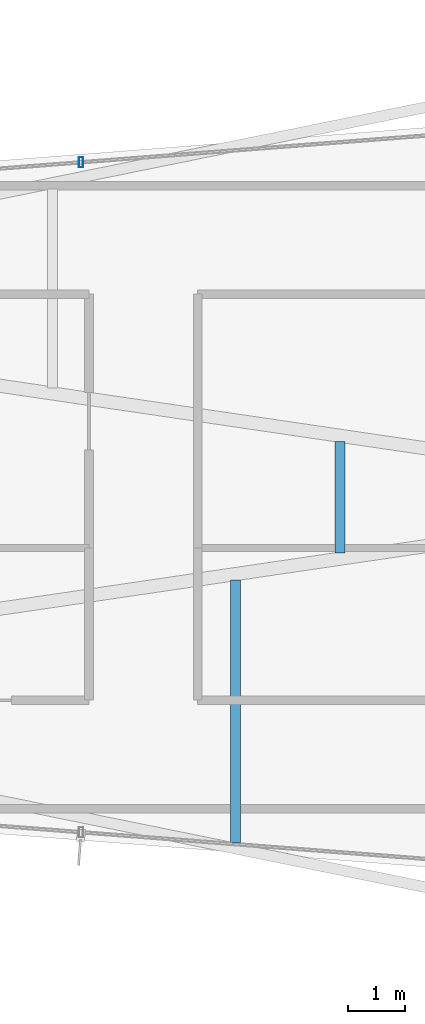
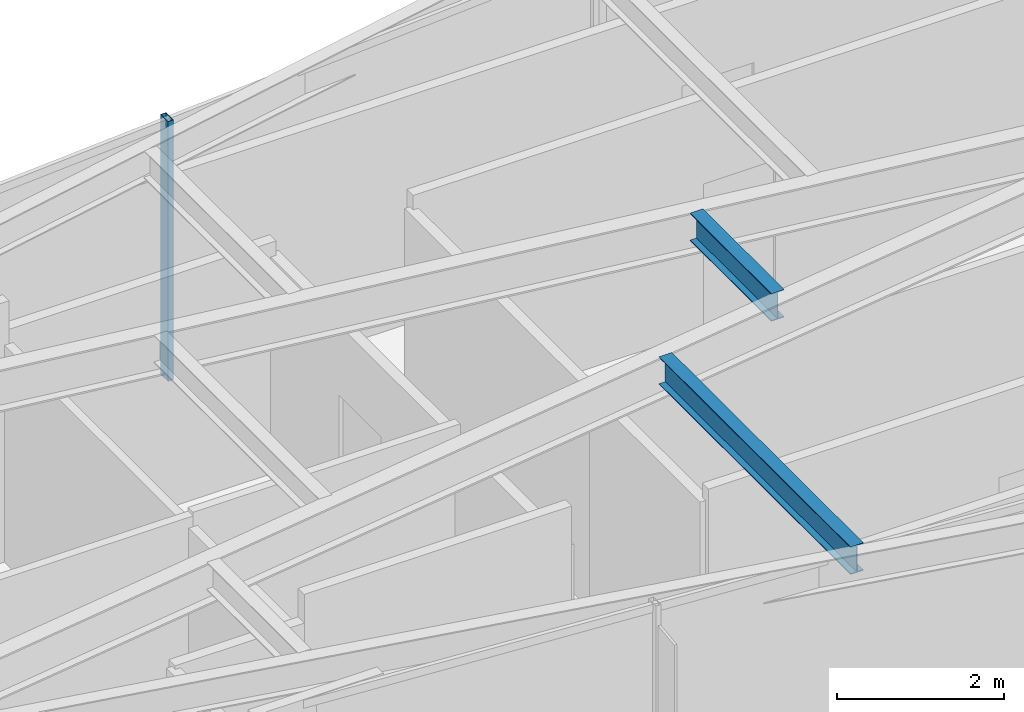
# One storey, part 10 of 30: 2 beams, 1 member, 1 element without a shape of its own.
"""IFC4 building model written with IfcOpenShell, lengths in metres."""

import ifcopenshell
import ifcopenshell.guid

model = None  # the IFC model being written
_history = None  # IfcOwnerHistory: only IFC2X3 demands one
_inside = {}  # id of a spatial element -> (the spatial element, [elements in it])
_under = {}  # id of a project, library or spatial element -> (it, [spatial elements below it])
_declared = {}  # id of a project -> (the project, [libraries it declares])
_typed = {}  # id of a type object -> (the type object, [elements of that type])
_made_of = {}  # id of a material, layer set ... -> (it, [elements and type objects made of it])


def new_model(schema):
    """Start an empty IFC model of exactly this schema.

    Asked for "IFC4X3", IfcOpenShell would pick the latest addendum, in which some entities
    have other attributes; the version numbers below select the first issue.
    IFC2X3 requires an IfcOwnerHistory on every rooted entity: one is made here for all.
    """
    global model, _history
    if schema == "IFC4X3":
        model = ifcopenshell.file(schema_version=(4, 3, 0, 0))
    else:
        model = ifcopenshell.file(schema=schema)
    _inside.clear()
    _under.clear()
    _declared.clear()
    _typed.clear()
    _made_of.clear()
    _history = None
    if model.schema == "IFC2X3":
        org = make("IfcOrganization", Name="unknown")
        user = make(
            "IfcPersonAndOrganization",
            ThePerson=make("IfcPerson", FamilyName="unknown"),
            TheOrganization=org,
        )
        app = make(
            "IfcApplication",
            ApplicationDeveloper=org,
            Version="unknown",
            ApplicationFullName="unknown",
            ApplicationIdentifier="unknown",
        )
        _history = make(
            "IfcOwnerHistory",
            OwningUser=user,
            OwningApplication=app,
            ChangeAction="ADDED",
            CreationDate=0,
        )
    return model


def make(cls, **values):
    """One entity of the class cls with the attributes given. An attribute that is None is left unset."""
    return model.create_entity(
        cls, **{name: value for name, value in values.items() if value is not None}
    )


def rooted(cls, **values):
    """An entity with a GlobalId (a new one), such as an element, a storey or a relation."""
    return make(cls, GlobalId=ifcopenshell.guid.new(), OwnerHistory=_history, **values)


def si_unit(unit_type, name, prefix=None):
    """IfcSIUnit, for example si_unit("LENGTHUNIT", "METRE", prefix="MILLI")."""
    return make("IfcSIUnit", UnitType=unit_type, Prefix=prefix, Name=name)


def assignment(units):
    """IfcUnitAssignment: the units of a project."""
    return None if units is None else make("IfcUnitAssignment", Units=units)


def point(xyz):
    """IfcCartesianPoint."""
    return None if xyz is None else make("IfcCartesianPoint", Coordinates=xyz)


def direction(xyz):
    """IfcDirection."""
    return None if xyz is None else make("IfcDirection", DirectionRatios=xyz)


def frame(location, z_axis=None, x_axis=None):
    """IfcAxis2Placement3D, a coordinate frame: its origin and axes. An axis left out is left unset."""
    return make(
        "IfcAxis2Placement3D",
        Location=point(location),
        Axis=direction(z_axis),
        RefDirection=direction(x_axis),
    )


def frame_2d(location, x_axis=None):
    """IfcAxis2Placement2D, a coordinate frame in the plane: its origin and x axis."""
    return make(
        "IfcAxis2Placement2D", Location=point(location), RefDirection=direction(x_axis)
    )


def origin():
    """The frame at (0, 0, 0) with its axes left unset."""
    return frame((0.0, 0.0, 0.0))


def origin_2d():
    """The frame at (0, 0) in the plane with its x axis left unset."""
    return frame_2d((0.0, 0.0))


def place(relative_to, where):
    """IfcLocalPlacement: puts the frame where relative to a parent placement (None: the world)."""
    return make(
        "IfcLocalPlacement", PlacementRelTo=relative_to, RelativePlacement=where
    )


def context(
    kind, dimensions, precision=None, world=None, true_north=None, identifier=None
):
    """IfcGeometricRepresentationContext, for example the 3D "Model" context."""
    return make(
        "IfcGeometricRepresentationContext",
        ContextIdentifier=identifier,
        ContextType=kind,
        CoordinateSpaceDimension=dimensions,
        Precision=precision,
        WorldCoordinateSystem=world,
        TrueNorth=true_north,
    )


def subcontext(parent, identifier, kind, view, scale=None):
    """IfcGeometricRepresentationSubContext, for example "Body" below "Model"."""
    return make(
        "IfcGeometricRepresentationSubContext",
        ContextIdentifier=identifier,
        ContextType=kind,
        ParentContext=parent,
        TargetScale=scale,
        TargetView=view,
    )


def project(units=None, contexts=None):
    """IfcProject with its units and contexts."""
    return rooted(
        "IfcProject",
        Name="project",
        RepresentationContexts=contexts,
        UnitsInContext=assignment(units),
    )


def spatial(cls, under=None, at=None, **own):
    """A site, building, storey or space (cls), placed at a placement, below another one or the project."""
    s = rooted(cls, ObjectPlacement=at, **own)
    if under is not None:
        _under.setdefault(under.id(), (under, []))[1].append(s)
    return s


def profile(cls, at=None, kind="AREA", **sizes):
    """A parametric profile (cls). Its sizes go by their IFC names, for example OverallWidth=200.0."""
    return make(cls, ProfileType=kind, Position=at, **sizes)


def hollow_rectangle(**sizes):
    """IfcRectangleHollowProfileDef."""
    return profile("IfcRectangleHollowProfileDef", **sizes)


def i_section(**sizes):
    """IfcIShapeProfileDef."""
    return profile("IfcIShapeProfileDef", **sizes)


def extrude(swept, where, along, depth):
    """IfcExtrudedAreaSolid: the profile swept, set in the frame where, extruded along a direction by depth."""
    return make(
        "IfcExtrudedAreaSolid",
        SweptArea=swept,
        Position=where,
        ExtrudedDirection=direction(along),
        Depth=depth,
    )


def shape(context_of_items, identifier, shape_type, items):
    """IfcShapeRepresentation: the items that make up one representation, for example the "Body"."""
    return make(
        "IfcShapeRepresentation",
        ContextOfItems=context_of_items,
        RepresentationIdentifier=identifier,
        RepresentationType=shape_type,
        Items=items,
    )


def material(Name=None, Category=None):
    """IfcMaterial."""
    return make("IfcMaterial", Name=Name, Category=Category)


def layer(
    of_material, thickness, ventilated=None, Name=None, Category=None, Priority=None
):
    """IfcMaterialLayer: one layer of a wall or slab, of a material (None: an air gap)."""
    return make(
        "IfcMaterialLayer",
        Material=of_material,
        LayerThickness=thickness,
        IsVentilated=ventilated,
        Name=Name,
        Category=Category,
        Priority=Priority,
    )


def layer_set(layers, Name=None):
    """IfcMaterialLayerSet."""
    return make("IfcMaterialLayerSet", MaterialLayers=layers, LayerSetName=Name)


def material_profile(
    of_material, cross_section, Name=None, Category=None, Priority=None
):
    """IfcMaterialProfile: a cross section and its material."""
    return make(
        "IfcMaterialProfile",
        Name=Name,
        Material=of_material,
        Profile=cross_section,
        Priority=Priority,
        Category=Category,
    )


def profile_set(profiles, Name=None, composite=None):
    """IfcMaterialProfileSet."""
    return make(
        "IfcMaterialProfileSet",
        Name=Name,
        MaterialProfiles=profiles,
        CompositeProfile=composite,
    )


def made_of(thing, what):
    """Note that an element or type object is made of a material, layer set ...; save() writes the relation."""
    if what is not None:
        _made_of.setdefault(what.id(), (what, []))[1].append(thing)
    return thing


def type_object(cls, material=None, **own):
    """A type object (cls), such as IfcWallType, which elements share."""
    return made_of(rooted(cls, **own), material)


def element(
    cls,
    number,
    at=None,
    inside=None,
    cuts=None,
    type_object=None,
    material=None,
    context=None,
    identifier="Body",
    shape_type=None,
    held_by="IfcProductDefinitionShape",
    body=None,
    shapes=None,
    **own,
):
    """One element of the class cls, such as IfcWall. Its Tag is "e" and its number.

    at: its placement. inside: the storey or other place that contains it. cuts: it is an
    opening in that element (IfcRelVoidsElement). A single representation is given by context,
    identifier, shape_type and body (its items); several are given by shapes. held_by: the class
    of the entity that holds the representations. save() writes the other relations.
    """
    e = rooted(cls, Tag="e%d" % number, ObjectPlacement=at, **own)
    if body is not None:
        shapes = [shape(context, identifier, shape_type, body)]
    if shapes is not None:
        e.Representation = make(held_by, Representations=shapes)
    if inside is not None:
        _inside.setdefault(inside.id(), (inside, []))[1].append(e)
    if cuts is not None:
        rooted(
            "IfcRelVoidsElement", RelatingBuildingElement=cuts, RelatedOpeningElement=e
        )
    if type_object is not None:
        _typed.setdefault(type_object.id(), (type_object, []))[1].append(e)
    return made_of(e, material)


def aggregate(whole, parts):
    """IfcRelAggregates: a whole, such as a stair, and the parts it consists of."""
    return rooted("IfcRelAggregates", RelatingObject=whole, RelatedObjects=parts)


def save(model, path):
    """Write the relations noted so far, then the file.

    IfcRelAggregates (storeys below a building ...), IfcRelContainedInSpatialStructure (elements
    in a storey), IfcRelDefinesByType, IfcRelAssociatesMaterial and IfcRelDeclares: one each for
    every whole, place, type object, material and project.
    """
    for whole, parts in _under.values():
        aggregate(whole, parts)
    for where, things in _inside.values():
        rooted(
            "IfcRelContainedInSpatialStructure",
            RelatedElements=things,
            RelatingStructure=where,
        )
    for kind, things in _typed.values():
        rooted("IfcRelDefinesByType", RelatedObjects=things, RelatingType=kind)
    for what, things in _made_of.values():
        rooted("IfcRelAssociatesMaterial", RelatedObjects=things, RelatingMaterial=what)
    for by, libraries in _declared.values():
        rooted("IfcRelDeclares", RelatingContext=by, RelatedDefinitions=libraries)
    model.write(path)


model = new_model("IFC4")

# Units and contexts
model_context = context("Model", 3, precision=1e-05, world=origin(), true_north=direction((0.0, 1.0)))
body_context = subcontext(model_context, "Body", "Model", "MODEL_VIEW")
ifc_project = project(units=[si_unit("LENGTHUNIT", "METRE"), si_unit("AREAUNIT", "SQUARE_METRE"), si_unit("VOLUMEUNIT", "CUBIC_METRE"), si_unit("PLANEANGLEUNIT", "RADIAN"), si_unit("MASSUNIT", "GRAM", prefix="KILO")], contexts=[model_context])

# Site, building, storey
site_placement = place(None, origin())
site = spatial("IfcSite", under=ifc_project, at=site_placement, CompositionType="ELEMENT")
building_placement = place(site_placement, origin())
building = spatial("IfcBuilding", under=site, at=building_placement, Name="Veymaron Broadcast Tower", CompositionType="ELEMENT")
storey_placement = place(building_placement, frame((0.0, 0.0, 54.0)))
storey = spatial("IfcBuildingStorey", under=building, at=storey_placement, Name="L11", CompositionType="ELEMENT", Elevation=54.0)

# Beams
ifc_material_1 = material(Name="Structural steel ASTM A992 Gr 50", Category="steel")
ifc_material_profile_1 = material_profile(ifc_material_1, i_section(OverallWidth=0.177978515625, OverallDepth=0.406982421875, WebThickness=0.0078125, FlangeThickness=0.0126953125, at=origin_2d()), Name="W410X60")
ifc_profile_set_1 = profile_set([ifc_material_profile_1], Name="Structural steel ASTM A992 Gr 50")
beam_type = type_object("IfcBeamType", Name="BM-JS1", PredefinedType="JOIST", material=ifc_profile_set_1)
beam_1_placement = place(storey_placement, frame((22.060791015625, 17.9560546875, 3.6064453125), z_axis=(0.0, 1.0, 0.0), x_axis=(-1.0, 0.0, 0.0)))
element("IfcBeam", 1, at=beam_1_placement, inside=storey, type_object=beam_type, Name="L11 Arm-A secondary joist 2S", PredefinedType="JOIST", context=body_context, shape_type="SweptSolid", body=[
    extrude(i_section(OverallWidth=0.177978515625, OverallDepth=0.406982421875, WebThickness=0.0078125, FlangeThickness=0.0126953125, at=origin_2d()), origin(), (0.0, 0.0, 1.0), 4.599853515625),
])
beam_2_placement = place(storey_placement, frame((23.888671875, 23.02490234375, 3.6064453125), z_axis=(0.0, 1.0, 0.0), x_axis=(-1.0, 0.0, 0.0)))
element("IfcBeam", 2, at=beam_2_placement, inside=storey, type_object=beam_type, Name="L11 Arm-A secondary joist 2M", PredefinedType="JOIST", context=body_context, shape_type="SweptSolid", body=[
    extrude(i_section(OverallWidth=0.177978515625, OverallDepth=0.406982421875, WebThickness=0.0078125, FlangeThickness=0.0126953125, at=origin_2d()), origin(), (0.0, 0.0, 1.0), 1.9501953125),
])

# Curtain wall, member
ifc_material_2 = material(Name="Anodised aluminium AA 6063-T6 and laminated low-E dark glass", Category="aluminium")
ifc_layer = layer(ifc_material_2, 0.179931640625)
ifc_layer_set = layer_set([ifc_layer], Name="Anodised aluminium AA 6063-T6 and laminated low-E dark glass")
curtain_wall_type = type_object("IfcCurtainWallType", Name="CW-SYS-02", PredefinedType="NOTDEFINED", material=ifc_layer_set)
curtain_wall_placement = place(storey_placement, origin())
curtain_wall = element("IfcCurtainWall", 3, at=curtain_wall_placement, inside=storey, type_object=curtain_wall_type, Name="L11 dark-glass curtain wall CW-L11-E11-1", PredefinedType="NOTDEFINED")
ifc_material_3 = material(Name="Anodised aluminium AA 6063-T6", Category="aluminium")
ifc_material_profile_2 = material_profile(ifc_material_3, hollow_rectangle(XDim=0.074951171875, YDim=0.179931640625, WallThickness=0.0048828125, at=origin_2d()), Name="AL180X75X5")
ifc_profile_set_2 = profile_set([ifc_material_profile_2], Name="Anodised aluminium AA 6063-T6")
member_type = type_object("IfcMemberType", Name="CW-MUL-02", PredefinedType="MULLION", material=ifc_profile_set_2)
member_placement = place(storey_placement, frame((19.36279296875, 29.857666015625, 0.0), z_axis=(0.0, 0.0, 1.0), x_axis=(1.0, 0.0, 0.0)))
member = element("IfcMember", 4, at=member_placement, type_object=member_type, Name="CW-L11-E11-1 mullion 1", PredefinedType="MULLION", context=body_context, shape_type="SweptSolid", body=[
    extrude(hollow_rectangle(XDim=0.074951171875, YDim=0.179931640625, WallThickness=0.0048828125, at=origin_2d()), origin(), (0.0, 0.0, 1.0), 3.81005859375),
])
aggregate(curtain_wall, [member])

save(model, "model.ifc")
